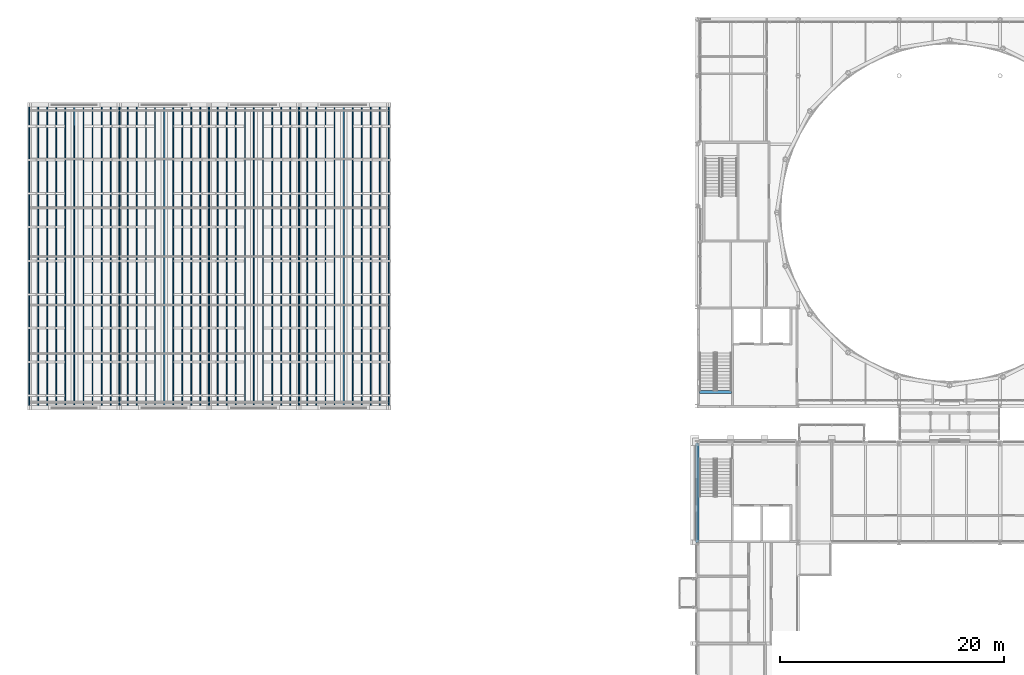
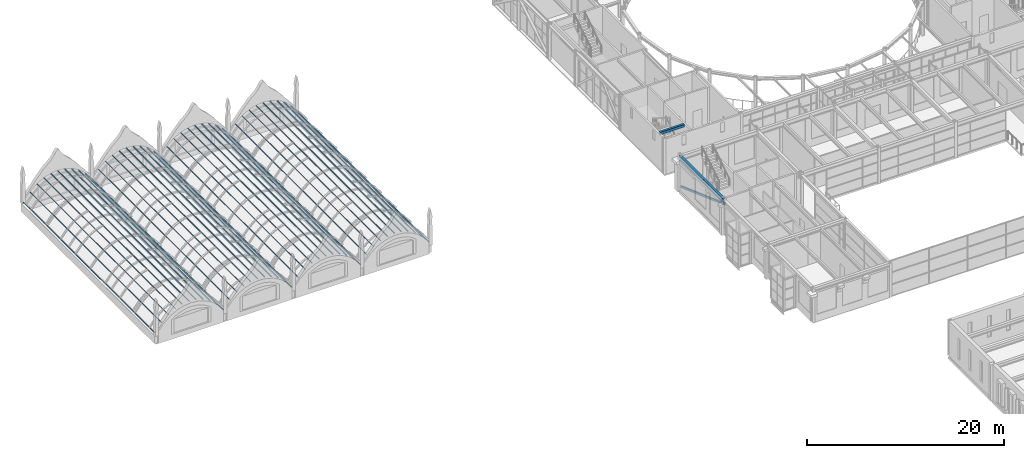
# One storey, part 28 of 111: 45 members, 2 beams.
"""IFC4 building model written with IfcOpenShell, lengths in metres."""

from ifc_helpers import new_model, si_unit, direction, frame, origin, origin_2d, place, context, subcontext, project, spatial, rectangle, hollow_rectangle, i_section, extrude, material, material_profile, profile_set, type_object, element, save


model = new_model("IFC4")

# Units and contexts
model_context = context("Model", 3, precision=1e-05, world=origin(), true_north=direction((0.0, 1.0)))
body_context = subcontext(model_context, "Body", "Model", "MODEL_VIEW")
ifc_project = project(units=[si_unit("LENGTHUNIT", "METRE"), si_unit("AREAUNIT", "SQUARE_METRE"), si_unit("VOLUMEUNIT", "CUBIC_METRE"), si_unit("PLANEANGLEUNIT", "RADIAN"), si_unit("MASSUNIT", "GRAM", prefix="KILO")], contexts=[model_context])

# Site, building, storey
site_placement = place(None, origin())
site = spatial("IfcSite", under=ifc_project, at=site_placement, CompositionType="ELEMENT")
building_placement = place(site_placement, origin())
building = spatial("IfcBuilding", under=site, at=building_placement, Name="Kallimachos Central Library", CompositionType="ELEMENT")
storey_placement = place(building_placement, frame((0.0, 0.0, 14.39990234375)))
storey = spatial("IfcBuildingStorey", under=building, at=storey_placement, Name="L03", CompositionType="ELEMENT", Elevation=14.39990234375)

# Beams
ifc_material_1 = material(Name="Steel S355J2", Category="steel")
ifc_material_profile_1 = material_profile(ifc_material_1, i_section(OverallWidth=0.300048828125, OverallDepth=0.550048828125, WebThickness=0.014892578125, FlangeThickness=0.029052734375, FilletRadius=0.027099609375, at=origin_2d()), Name="HEB 550")
ifc_profile_set_1 = profile_set([ifc_material_profile_1], Name="Steel S355J2")
beam_type_1 = type_object("IfcBeamType", Name="HEB 550 beam", PredefinedType="BEAM", material=ifc_profile_set_1)
beam_1_placement = place(storey_placement, frame((65.5, 75.0, 4.025146484375), z_axis=(0.0, 1.0, 0.0), x_axis=(-1.0, 0.0, 0.0)))
element("IfcBeam", 1, at=beam_1_placement, inside=storey, type_object=beam_type_1, Name="V4-BEM-L03-009", PredefinedType="BEAM", context=body_context, shape_type="SweptSolid", body=[
    extrude(i_section(OverallWidth=0.300048828125, OverallDepth=0.550048828125, WebThickness=0.014892578125, FlangeThickness=0.029052734375, FilletRadius=0.027099609375, at=origin_2d()), origin(), (0.0, 0.0, 1.0), 8.85009765625),
])
ifc_material_2 = material(Name="Concrete C30/37", Category="concrete")
ifc_material_profile_2 = material_profile(ifc_material_2, rectangle(XDim=0.260009765625, YDim=0.300048828125, at=origin_2d()), Name="RC stair trimmer beam 260 x 300")
ifc_profile_set_2 = profile_set([ifc_material_profile_2], Name="Concrete C30/37")
beam_type_2 = type_object("IfcBeamType", Name="RC stair trimmer beam 260 x 300", PredefinedType="BEAM", material=ifc_profile_set_2)
beam_2_placement = place(storey_placement, frame((68.550048828125, 88.424072265625, 4.2001953125), z_axis=(-1.0, 0.0, 0.0), x_axis=(0.0, -1.0, 0.0)))
element("IfcBeam", 2, at=beam_2_placement, inside=storey, type_object=beam_type_2, Name="Stair trimmer beam ST1 L03", PredefinedType="BEAM", context=body_context, shape_type="SweptSolid", body=[
    extrude(rectangle(XDim=0.260009765625, YDim=0.300048828125, at=origin_2d()), origin(), (0.0, 0.0, 1.0), 2.85009765625),
])

# Members
ifc_material_3 = material(Name="Steel S355J2H", Category="steel")
ifc_material_profile_3 = material_profile(ifc_material_3, hollow_rectangle(XDim=0.080078125, YDim=0.1201171875, WallThickness=0.00634765625, InnerFilletRadius=0.00634765625, OuterFilletRadius=0.009521484375, at=origin_2d()), Name="RHS 120x80x6.3")
ifc_profile_set_3 = profile_set([ifc_material_profile_3], Name="Steel S355J2H")
member_type_1 = type_object("IfcMemberType", Name="RHS 120x80x6.3 purlin", PredefinedType="PURLIN", material=ifc_profile_set_3)
for number, where, z_axis, x_axis, name in (
    (3, (5.9775390625, 87.199951171875, 1.17626953125), (0.0, 1.0, 0.0), (-0.624440490816, 0.0, -0.781072386805), "Vault 1 purlin"),
    (4, (6.765625, 87.199951171875, 2.161376953125), (0.0, 1.0, 0.0), (-0.68349737021, 0.0, -0.729952974455), "Vault 1 purlin"),
    (5, (7.568115234375, 87.199951171875, 2.87158203125), (0.0, 1.0, 0.0), (-0.810449427414, 0.0, -0.585808608339), "Vault 1 purlin"),
    (6, (8.37744140625, 87.199951171875, 3.325439453125), (0.0, 1.0, 0.0), (-0.917005036204, 0.0, -0.398875624194), "Vault 1 purlin"),
    (7, (9.188720703125, 87.199951171875, 3.57666015625), (0.0, 1.0, 0.0), (-0.979797090338, 0.0, -0.199994154326), "Vault 1 purlin"),
    (8, (10.0, 87.199951171875, 3.656982421875), (0.0, 1.0, 0.0), (-1.0, 0.0, 0.0), "Vault 1 purlin"),
    (9, (10.811279296875, 87.199951171875, 3.57666015625), (0.0, 1.0, 0.0), (-0.979797090338, 0.0, 0.199994154326), "Vault 1 purlin"),
    (10, (11.62255859375, 87.199951171875, 3.325439453125), (0.0, 1.0, 0.0), (-0.917005036204, 0.0, 0.398875624194), "Vault 1 purlin"),
    (11, (12.431884765625, 87.199951171875, 2.87158203125), (0.0, 1.0, 0.0), (-0.810449427414, 0.0, 0.585808608339), "Vault 1 purlin"),
    (12, (13.234375, 87.199951171875, 2.161376953125), (0.0, 1.0, 0.0), (-0.68349737021, 0.0, 0.729952974455), "Vault 1 purlin"),
    (13, (14.0224609375, 87.199951171875, 1.17626953125), (0.0, 1.0, 0.0), (-0.624440490816, 0.0, 0.781072386805), "Vault 1 purlin"),
    (14, (13.9775390625, 87.199951171875, 1.17626953125), (0.0, 1.0, 0.0), (-0.624440490816, 0.0, -0.781072386805), "Vault 2 purlin"),
    (15, (14.765625, 87.199951171875, 2.161376953125), (0.0, 1.0, 0.0), (-0.68349737021, 0.0, -0.729952974455), "Vault 2 purlin"),
    (16, (15.568115234375, 87.199951171875, 2.87158203125), (0.0, 1.0, 0.0), (-0.810449427414, 0.0, -0.585808608339), "Vault 2 purlin"),
    (17, (16.37744140625, 87.199951171875, 3.325439453125), (0.0, 1.0, 0.0), (-0.917005036204, 0.0, -0.398875624194), "Vault 2 purlin"),
    (18, (17.188720703125, 87.199951171875, 3.57666015625), (0.0, 1.0, 0.0), (-0.979797090338, 0.0, -0.199994154326), "Vault 2 purlin"),
    (19, (18.0, 87.199951171875, 3.656982421875), (0.0, 1.0, 0.0), (-1.0, 0.0, 0.0), "Vault 2 purlin"),
    (20, (18.811279296875, 87.199951171875, 3.57666015625), (0.0, 1.0, 0.0), (-0.979797090338, 0.0, 0.199994154326), "Vault 2 purlin"),
    (21, (19.62255859375, 87.199951171875, 3.325439453125), (0.0, 1.0, 0.0), (-0.917005036204, 0.0, 0.398875624194), "Vault 2 purlin"),
    (22, (20.431884765625, 87.199951171875, 2.87158203125), (0.0, 1.0, 0.0), (-0.810449427414, 0.0, 0.585808608339), "Vault 2 purlin"),
    (23, (21.234375, 87.199951171875, 2.161376953125), (0.0, 1.0, 0.0), (-0.68349737021, 0.0, 0.729952974455), "Vault 2 purlin"),
    (24, (22.0224609375, 87.199951171875, 1.17626953125), (0.0, 1.0, 0.0), (-0.624440490816, 0.0, 0.781072386805), "Vault 2 purlin"),
    (25, (21.9775390625, 87.199951171875, 1.17626953125), (0.0, 1.0, 0.0), (-0.624440490816, 0.0, -0.781072386805), "Vault 3 purlin"),
    (26, (22.765625, 87.199951171875, 2.161376953125), (0.0, 1.0, 0.0), (-0.68349737021, 0.0, -0.729952974455), "Vault 3 purlin"),
    (27, (23.568115234375, 87.199951171875, 2.87158203125), (0.0, 1.0, 0.0), (-0.810449427414, 0.0, -0.585808608339), "Vault 3 purlin"),
    (28, (24.37744140625, 87.199951171875, 3.325439453125), (0.0, 1.0, 0.0), (-0.917005036204, 0.0, -0.398875624194), "Vault 3 purlin"),
    (29, (25.188720703125, 87.199951171875, 3.57666015625), (0.0, 1.0, 0.0), (-0.979797090338, 0.0, -0.199994154326), "Vault 3 purlin"),
    (30, (26.0, 87.199951171875, 3.656982421875), (0.0, 1.0, 0.0), (-1.0, 0.0, 0.0), "Vault 3 purlin"),
    (31, (26.811279296875, 87.199951171875, 3.57666015625), (0.0, 1.0, 0.0), (-0.979797090338, 0.0, 0.199994154326), "Vault 3 purlin"),
    (32, (27.62255859375, 87.199951171875, 3.325439453125), (0.0, 1.0, 0.0), (-0.917005036204, 0.0, 0.398875624194), "Vault 3 purlin"),
    (33, (28.431884765625, 87.199951171875, 2.87158203125), (0.0, 1.0, 0.0), (-0.810449427414, 0.0, 0.585808608339), "Vault 3 purlin"),
    (34, (29.234375, 87.199951171875, 2.161376953125), (0.0, 1.0, 0.0), (-0.68349737021, 0.0, 0.729952974455), "Vault 3 purlin"),
    (35, (30.0224609375, 87.199951171875, 1.17626953125), (0.0, 1.0, 0.0), (-0.624440490816, 0.0, 0.781072386805), "Vault 3 purlin"),
    (36, (29.9775390625, 87.199951171875, 1.17626953125), (0.0, 1.0, 0.0), (-0.624440490816, 0.0, -0.781072386805), "Vault 4 purlin"),
    (37, (30.765625, 87.199951171875, 2.161376953125), (0.0, 1.0, 0.0), (-0.68349737021, 0.0, -0.729952974455), "Vault 4 purlin"),
    (38, (31.568115234375, 87.199951171875, 2.87158203125), (0.0, 1.0, 0.0), (-0.810449427414, 0.0, -0.585808608339), "Vault 4 purlin"),
    (39, (32.37744140625, 87.199951171875, 3.325439453125), (0.0, 1.0, 0.0), (-0.917005036204, 0.0, -0.398875624194), "Vault 4 purlin"),
    (40, (33.188720703125, 87.199951171875, 3.57666015625), (0.0, 1.0, 0.0), (-0.979797090338, 0.0, -0.199994154326), "Vault 4 purlin"),
    (41, (34.0, 87.199951171875, 3.656982421875), (0.0, 1.0, 0.0), (-1.0, 0.0, 0.0), "Vault 4 purlin"),
    (42, (34.811279296875, 87.199951171875, 3.57666015625), (0.0, 1.0, 0.0), (-0.979797090338, 0.0, 0.199994154326), "Vault 4 purlin"),
    (43, (35.62255859375, 87.199951171875, 3.325439453125), (0.0, 1.0, 0.0), (-0.917005036204, 0.0, 0.398875624194), "Vault 4 purlin"),
    (44, (36.431884765625, 87.199951171875, 2.87158203125), (0.0, 1.0, 0.0), (-0.810449427414, 0.0, 0.585808608339), "Vault 4 purlin"),
    (45, (37.234375, 87.199951171875, 2.161376953125), (0.0, 1.0, 0.0), (-0.68349737021, 0.0, 0.729952974455), "Vault 4 purlin"),
    (46, (38.0224609375, 87.199951171875, 1.17626953125), (0.0, 1.0, 0.0), (-0.624440490816, 0.0, 0.781072386805), "Vault 4 purlin"),
):
    element("IfcMember", number, at=place(storey_placement, frame(where, z_axis=z_axis, x_axis=x_axis)), inside=storey, type_object=member_type_1, Name=name, PredefinedType="PURLIN", context=body_context, shape_type="SweptSolid", body=[
        extrude(hollow_rectangle(XDim=0.080078125, YDim=0.1201171875, WallThickness=0.00634765625, InnerFilletRadius=0.00634765625, OuterFilletRadius=0.009521484375, at=origin_2d()), origin(), (0.0, 0.0, 1.0), 26.60009765625),
    ])
ifc_material_4 = material(Name="Steel S355J2H", Category="steel")
ifc_material_profile_4 = material_profile(ifc_material_4, hollow_rectangle(XDim=0.14990234375, YDim=0.25, WallThickness=0.010009765625, InnerFilletRadius=0.010009765625, OuterFilletRadius=0.014892578125, at=origin_2d()), Name="RHS 250x150x10")
ifc_profile_set_4 = profile_set([ifc_material_profile_4], Name="Steel S355J2H")
member_type_2 = type_object("IfcMemberType", Name="RHS 250x150x10 brace", PredefinedType="BRACE", material=ifc_profile_set_4)
member_placement = place(storey_placement, frame((65.60009765625, 83.85009765625, 0.400146484375), z_axis=(0.0, -0.94041523715, 0.340028207264), x_axis=(1.0, 0.0, 0.0)))
element("IfcMember", 47, at=member_placement, inside=storey, type_object=member_type_2, Name="V4-MEM-L03-001", PredefinedType="BRACE", context=body_context, shape_type="SweptSolid", body=[
    extrude(hollow_rectangle(XDim=0.14990234375, YDim=0.25, WallThickness=0.010009765625, InnerFilletRadius=0.010009765625, OuterFilletRadius=0.014892578125, at=origin_2d()), origin(), (0.0, 0.0, 1.0), 9.410888671875),
])

save(model, "model.ifc")
